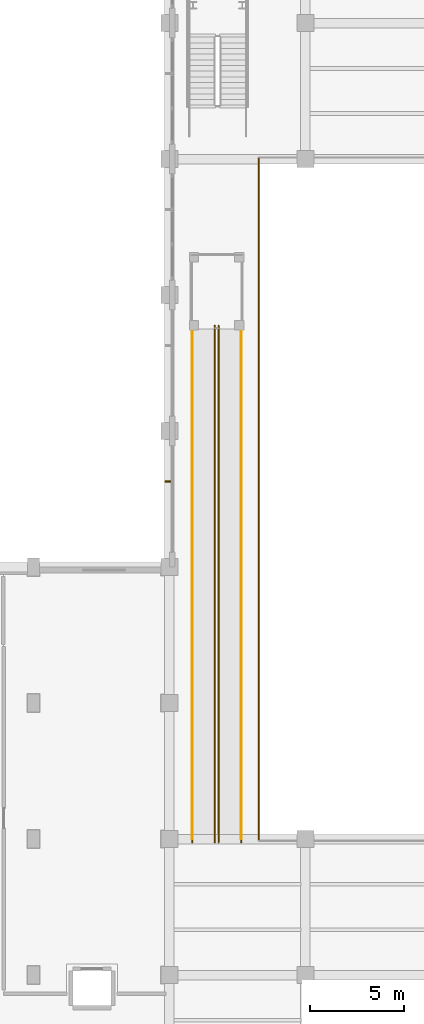
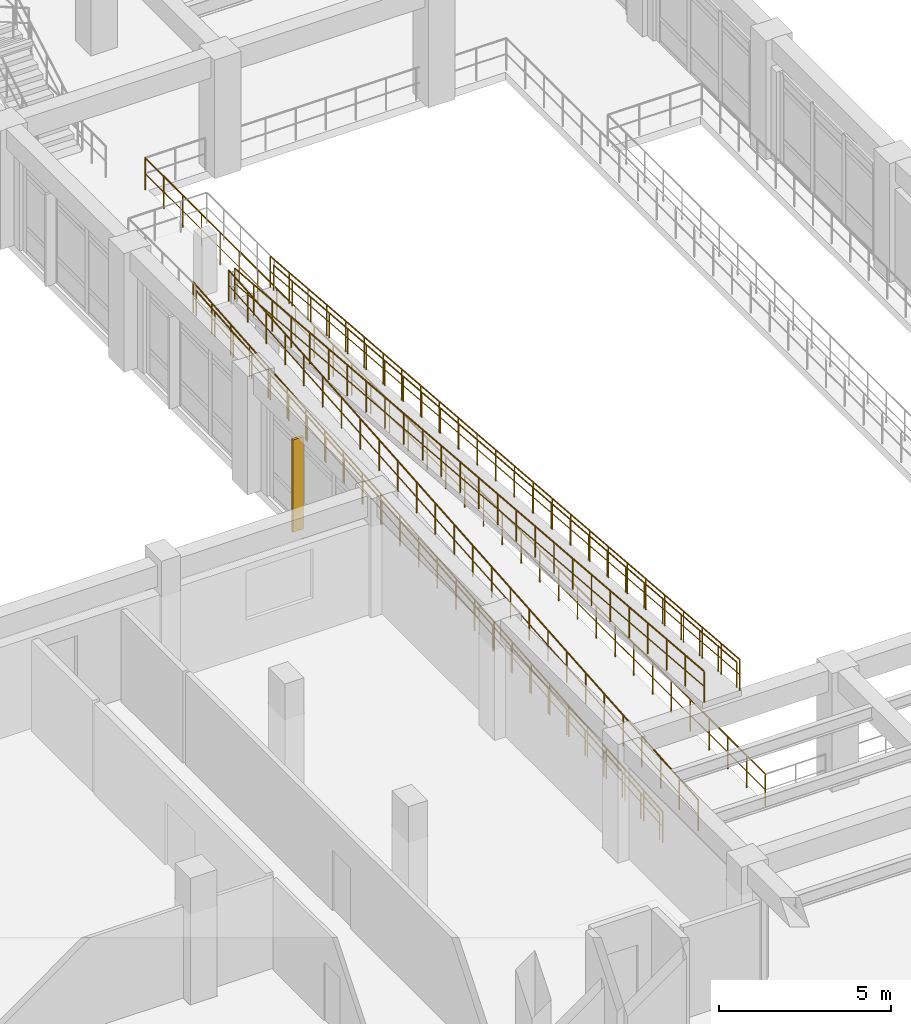
# One storey, part 59 of 69: 7 railings, 1 shading device.
"""IFC4 building model written with IfcOpenShell, lengths in metres."""

from ifc_helpers import new_model, si_unit, direction, frame, origin, origin_2d, place, context, subcontext, project, spatial, rectangle, circle, extrude, material, material_profile, profile_set, type_object, element, save


model = new_model("IFC4")

# Units and contexts
model_context = context("Model", 3, precision=1e-05, world=origin(), true_north=direction((0.0, 1.0)))
body_context = subcontext(model_context, "Body", "Model", "MODEL_VIEW")
ifc_project = project(units=[si_unit("LENGTHUNIT", "METRE"), si_unit("AREAUNIT", "SQUARE_METRE"), si_unit("VOLUMEUNIT", "CUBIC_METRE"), si_unit("PLANEANGLEUNIT", "RADIAN"), si_unit("MASSUNIT", "GRAM", prefix="KILO")], contexts=[model_context])

# Site, building, storey
site_placement = place(None, origin())
site = spatial("IfcSite", under=ifc_project, at=site_placement, CompositionType="ELEMENT")
building_placement = place(site_placement, origin())
building = spatial("IfcBuilding", under=site, at=building_placement, Name="Solenvale Faculty of Natural Sciences", CompositionType="ELEMENT")
storey_placement = place(building_placement, frame((0.0, 0.0, 4.5)))
storey = spatial("IfcBuildingStorey", under=building, at=storey_placement, Name="L01", CompositionType="ELEMENT", Elevation=4.5)

# Railings
ifc_material_1 = material(Name="Stainless steel Grade 304", Category="steel")
railing_type_1 = type_object("IfcRailingType", Name="RL-GRD-1100", PredefinedType="GUARDRAIL", material=ifc_material_1)
railing_1_placement = place(storey_placement, frame((37.199951171875, 28.6201171875, 0.0)))
element("IfcRailing", 1, at=railing_1_placement, inside=storey, type_object=railing_type_1, Name="RMP-02 Flight 1 Guardrail FL1-W", PredefinedType="GUARDRAIL", context=body_context, shape_type="SweptSolid", body=[
    extrude(circle(Radius=0.02392578125, at=origin_2d()), frame((0.0, 0.0, 1.09619140625), z_axis=(0.0, 0.996635572651, 0.081960571784), x_axis=(-1.0, 0.0, 0.0)), (0.0, 0.0, 1.0), 27.4521484375),
    extrude(circle(Radius=0.01611328125, at=origin_2d()), frame((0.0, 0.0, 0.56005859375), z_axis=(0.0, 0.996635572651, 0.081960571784), x_axis=(-1.0, 0.0, 0.0)), (0.0, 0.0, 1.0), 27.4521484375),
    extrude(circle(Radius=0.02099609375, at=origin_2d()), origin(), (0.0, 0.0, 1.0), 1.072021484375),
    extrude(circle(Radius=0.02099609375, at=origin_2d()), frame((0.0, 1.094482421875, 0.090087890625)), (0.0, 0.0, 1.0), 1.072021484375),
    extrude(circle(Radius=0.02099609375, at=origin_2d()), frame((0.0, 2.188720703125, 0.179931640625)), (0.0, 0.0, 1.0), 1.072021484375),
    extrude(circle(Radius=0.02099609375, at=origin_2d()), frame((0.0, 3.283203125, 0.27001953125)), (0.0, 0.0, 1.0), 1.072021484375),
    extrude(circle(Radius=0.02099609375, at=origin_2d()), frame((0.0, 4.377685546875, 0.360107421875)), (0.0, 0.0, 1.0), 1.072021484375),
    extrude(circle(Radius=0.02099609375, at=origin_2d()), frame((0.0, 5.471923828125, 0.449951171875)), (0.0, 0.0, 1.0), 1.072021484375),
    extrude(circle(Radius=0.02099609375, at=origin_2d()), frame((0.0, 6.56640625, 0.5400390625)), (0.0, 0.0, 1.0), 1.072021484375),
    extrude(circle(Radius=0.02099609375, at=origin_2d()), frame((0.0, 7.66064453125, 0.6298828125)), (0.0, 0.0, 1.0), 1.072021484375),
    extrude(circle(Radius=0.02099609375, at=origin_2d()), frame((0.0, 8.755126953125, 0.719970703125)), (0.0, 0.0, 1.0), 1.072021484375),
    extrude(circle(Radius=0.02099609375, at=origin_2d()), frame((0.0, 9.849609375, 0.81005859375)), (0.0, 0.0, 1.0), 1.072021484375),
    extrude(circle(Radius=0.02099609375, at=origin_2d()), frame((0.0, 10.94384765625, 0.89990234375)), (0.0, 0.0, 1.0), 1.072021484375),
    extrude(circle(Radius=0.02099609375, at=origin_2d()), frame((0.0, 12.038330078125, 0.989990234375)), (0.0, 0.0, 1.0), 1.072021484375),
    extrude(circle(Radius=0.02099609375, at=origin_2d()), frame((0.0, 13.1328125, 1.080078125)), (0.0, 0.0, 1.0), 1.072021484375),
    extrude(circle(Radius=0.02099609375, at=origin_2d()), frame((0.0, 14.22705078125, 1.169921875)), (0.0, 0.0, 1.0), 1.072021484375),
    extrude(circle(Radius=0.02099609375, at=origin_2d()), frame((0.0, 15.321533203125, 1.260009765625)), (0.0, 0.0, 1.0), 1.072021484375),
    extrude(circle(Radius=0.02099609375, at=origin_2d()), frame((0.0, 16.416015625, 1.35009765625)), (0.0, 0.0, 1.0), 1.072021484375),
    extrude(circle(Radius=0.02099609375, at=origin_2d()), frame((0.0, 17.51025390625, 1.43994140625)), (0.0, 0.0, 1.0), 1.072021484375),
    extrude(circle(Radius=0.02099609375, at=origin_2d()), frame((0.0, 18.604736328125, 1.530029296875)), (0.0, 0.0, 1.0), 1.072021484375),
    extrude(circle(Radius=0.02099609375, at=origin_2d()), frame((0.0, 19.69921875, 1.6201171875)), (0.0, 0.0, 1.0), 1.072021484375),
    extrude(circle(Radius=0.02099609375, at=origin_2d()), frame((0.0, 20.79345703125, 1.7099609375)), (0.0, 0.0, 1.0), 1.072021484375),
    extrude(circle(Radius=0.02099609375, at=origin_2d()), frame((0.0, 21.887939453125, 1.800048828125)), (0.0, 0.0, 1.0), 1.072021484375),
    extrude(circle(Radius=0.02099609375, at=origin_2d()), frame((0.0, 22.982177734375, 1.889892578125)), (0.0, 0.0, 1.0), 1.072021484375),
    extrude(circle(Radius=0.02099609375, at=origin_2d()), frame((0.0, 24.07666015625, 1.97998046875)), (0.0, 0.0, 1.0), 1.072021484375),
    extrude(circle(Radius=0.02099609375, at=origin_2d()), frame((0.0, 25.171142578125, 2.070068359375)), (0.0, 0.0, 1.0), 1.072021484375),
    extrude(circle(Radius=0.02099609375, at=origin_2d()), frame((0.0, 26.265380859375, 2.159912109375)), (0.0, 0.0, 1.0), 1.072021484375),
    extrude(circle(Radius=0.02099609375, at=origin_2d()), frame((0.0, 27.35986328125, 2.25)), (0.0, 0.0, 1.0), 1.072021484375),
])
railing_2_placement = place(storey_placement, frame((38.39990234375, 28.6201171875, 0.0)))
element("IfcRailing", 2, at=railing_2_placement, inside=storey, type_object=railing_type_1, Name="RMP-02 Flight 1 Guardrail FL1-E", PredefinedType="GUARDRAIL", context=body_context, shape_type="SweptSolid", body=[
    extrude(circle(Radius=0.02392578125, at=origin_2d()), frame((0.0, 0.0, 1.09619140625), z_axis=(0.0, 0.996635572651, 0.081960571784), x_axis=(-1.0, 0.0, 0.0)), (0.0, 0.0, 1.0), 27.4521484375),
    extrude(circle(Radius=0.01611328125, at=origin_2d()), frame((0.0, 0.0, 0.56005859375), z_axis=(0.0, 0.996635572651, 0.081960571784), x_axis=(-1.0, 0.0, 0.0)), (0.0, 0.0, 1.0), 27.4521484375),
    extrude(circle(Radius=0.02099609375, at=origin_2d()), origin(), (0.0, 0.0, 1.0), 1.072021484375),
    extrude(circle(Radius=0.02099609375, at=origin_2d()), frame((0.0, 1.094482421875, 0.090087890625)), (0.0, 0.0, 1.0), 1.072021484375),
    extrude(circle(Radius=0.02099609375, at=origin_2d()), frame((0.0, 2.188720703125, 0.179931640625)), (0.0, 0.0, 1.0), 1.072021484375),
    extrude(circle(Radius=0.02099609375, at=origin_2d()), frame((0.0, 3.283203125, 0.27001953125)), (0.0, 0.0, 1.0), 1.072021484375),
    extrude(circle(Radius=0.02099609375, at=origin_2d()), frame((0.0, 4.377685546875, 0.360107421875)), (0.0, 0.0, 1.0), 1.072021484375),
    extrude(circle(Radius=0.02099609375, at=origin_2d()), frame((0.0, 5.471923828125, 0.449951171875)), (0.0, 0.0, 1.0), 1.072021484375),
    extrude(circle(Radius=0.02099609375, at=origin_2d()), frame((0.0, 6.56640625, 0.5400390625)), (0.0, 0.0, 1.0), 1.072021484375),
    extrude(circle(Radius=0.02099609375, at=origin_2d()), frame((0.0, 7.66064453125, 0.6298828125)), (0.0, 0.0, 1.0), 1.072021484375),
    extrude(circle(Radius=0.02099609375, at=origin_2d()), frame((0.0, 8.755126953125, 0.719970703125)), (0.0, 0.0, 1.0), 1.072021484375),
    extrude(circle(Radius=0.02099609375, at=origin_2d()), frame((0.0, 9.849609375, 0.81005859375)), (0.0, 0.0, 1.0), 1.072021484375),
    extrude(circle(Radius=0.02099609375, at=origin_2d()), frame((0.0, 10.94384765625, 0.89990234375)), (0.0, 0.0, 1.0), 1.072021484375),
    extrude(circle(Radius=0.02099609375, at=origin_2d()), frame((0.0, 12.038330078125, 0.989990234375)), (0.0, 0.0, 1.0), 1.072021484375),
    extrude(circle(Radius=0.02099609375, at=origin_2d()), frame((0.0, 13.1328125, 1.080078125)), (0.0, 0.0, 1.0), 1.072021484375),
    extrude(circle(Radius=0.02099609375, at=origin_2d()), frame((0.0, 14.22705078125, 1.169921875)), (0.0, 0.0, 1.0), 1.072021484375),
    extrude(circle(Radius=0.02099609375, at=origin_2d()), frame((0.0, 15.321533203125, 1.260009765625)), (0.0, 0.0, 1.0), 1.072021484375),
    extrude(circle(Radius=0.02099609375, at=origin_2d()), frame((0.0, 16.416015625, 1.35009765625)), (0.0, 0.0, 1.0), 1.072021484375),
    extrude(circle(Radius=0.02099609375, at=origin_2d()), frame((0.0, 17.51025390625, 1.43994140625)), (0.0, 0.0, 1.0), 1.072021484375),
    extrude(circle(Radius=0.02099609375, at=origin_2d()), frame((0.0, 18.604736328125, 1.530029296875)), (0.0, 0.0, 1.0), 1.072021484375),
    extrude(circle(Radius=0.02099609375, at=origin_2d()), frame((0.0, 19.69921875, 1.6201171875)), (0.0, 0.0, 1.0), 1.072021484375),
    extrude(circle(Radius=0.02099609375, at=origin_2d()), frame((0.0, 20.79345703125, 1.7099609375)), (0.0, 0.0, 1.0), 1.072021484375),
    extrude(circle(Radius=0.02099609375, at=origin_2d()), frame((0.0, 21.887939453125, 1.800048828125)), (0.0, 0.0, 1.0), 1.072021484375),
    extrude(circle(Radius=0.02099609375, at=origin_2d()), frame((0.0, 22.982177734375, 1.889892578125)), (0.0, 0.0, 1.0), 1.072021484375),
    extrude(circle(Radius=0.02099609375, at=origin_2d()), frame((0.0, 24.07666015625, 1.97998046875)), (0.0, 0.0, 1.0), 1.072021484375),
    extrude(circle(Radius=0.02099609375, at=origin_2d()), frame((0.0, 25.171142578125, 2.070068359375)), (0.0, 0.0, 1.0), 1.072021484375),
    extrude(circle(Radius=0.02099609375, at=origin_2d()), frame((0.0, 26.265380859375, 2.159912109375)), (0.0, 0.0, 1.0), 1.072021484375),
    extrude(circle(Radius=0.02099609375, at=origin_2d()), frame((0.0, 27.35986328125, 2.25)), (0.0, 0.0, 1.0), 1.072021484375),
])
railing_3_placement = place(storey_placement, frame((38.60009765625, 55.97998046875, 2.25)))
element("IfcRailing", 3, at=railing_3_placement, inside=storey, type_object=railing_type_1, Name="RMP-02 Flight 2 Guardrail FL2-W", PredefinedType="GUARDRAIL", context=body_context, shape_type="SweptSolid", body=[
    extrude(circle(Radius=0.02392578125, at=origin_2d()), frame((0.0, 0.0, 1.09619140625), z_axis=(0.0, -0.996635572651, 0.081960571784), x_axis=(1.0, 0.0, 0.0)), (0.0, 0.0, 1.0), 27.4521484375),
    extrude(circle(Radius=0.01611328125, at=origin_2d()), frame((0.0, 0.0, 0.56005859375), z_axis=(0.0, -0.996635572651, 0.081960571784), x_axis=(1.0, 0.0, 0.0)), (0.0, 0.0, 1.0), 27.4521484375),
    extrude(circle(Radius=0.02099609375, at=origin_2d()), origin(), (0.0, 0.0, 1.0), 1.072021484375),
    extrude(circle(Radius=0.02099609375, at=origin_2d()), frame((0.0, -1.094482421875, 0.090087890625)), (0.0, 0.0, 1.0), 1.072021484375),
    extrude(circle(Radius=0.02099609375, at=origin_2d()), frame((0.0, -2.188720703125, 0.179931640625)), (0.0, 0.0, 1.0), 1.072021484375),
    extrude(circle(Radius=0.02099609375, at=origin_2d()), frame((0.0, -3.283203125, 0.27001953125)), (0.0, 0.0, 1.0), 1.072021484375),
    extrude(circle(Radius=0.02099609375, at=origin_2d()), frame((0.0, -4.377685546875, 0.360107421875)), (0.0, 0.0, 1.0), 1.072021484375),
    extrude(circle(Radius=0.02099609375, at=origin_2d()), frame((0.0, -5.471923828125, 0.449951171875)), (0.0, 0.0, 1.0), 1.072021484375),
    extrude(circle(Radius=0.02099609375, at=origin_2d()), frame((0.0, -6.56640625, 0.5400390625)), (0.0, 0.0, 1.0), 1.072021484375),
    extrude(circle(Radius=0.02099609375, at=origin_2d()), frame((0.0, -7.66064453125, 0.6298828125)), (0.0, 0.0, 1.0), 1.072021484375),
    extrude(circle(Radius=0.02099609375, at=origin_2d()), frame((0.0, -8.755126953125, 0.719970703125)), (0.0, 0.0, 1.0), 1.072021484375),
    extrude(circle(Radius=0.02099609375, at=origin_2d()), frame((0.0, -9.849609375, 0.81005859375)), (0.0, 0.0, 1.0), 1.072021484375),
    extrude(circle(Radius=0.02099609375, at=origin_2d()), frame((0.0, -10.94384765625, 0.89990234375)), (0.0, 0.0, 1.0), 1.072021484375),
    extrude(circle(Radius=0.02099609375, at=origin_2d()), frame((0.0, -12.038330078125, 0.989990234375)), (0.0, 0.0, 1.0), 1.072021484375),
    extrude(circle(Radius=0.02099609375, at=origin_2d()), frame((0.0, -13.1328125, 1.080078125)), (0.0, 0.0, 1.0), 1.072021484375),
    extrude(circle(Radius=0.02099609375, at=origin_2d()), frame((0.0, -14.22705078125, 1.169921875)), (0.0, 0.0, 1.0), 1.072021484375),
    extrude(circle(Radius=0.02099609375, at=origin_2d()), frame((0.0, -15.321533203125, 1.260009765625)), (0.0, 0.0, 1.0), 1.072021484375),
    extrude(circle(Radius=0.02099609375, at=origin_2d()), frame((0.0, -16.416015625, 1.35009765625)), (0.0, 0.0, 1.0), 1.072021484375),
    extrude(circle(Radius=0.02099609375, at=origin_2d()), frame((0.0, -17.51025390625, 1.43994140625)), (0.0, 0.0, 1.0), 1.072021484375),
    extrude(circle(Radius=0.02099609375, at=origin_2d()), frame((0.0, -18.604736328125, 1.530029296875)), (0.0, 0.0, 1.0), 1.072021484375),
    extrude(circle(Radius=0.02099609375, at=origin_2d()), frame((0.0, -19.69921875, 1.6201171875)), (0.0, 0.0, 1.0), 1.072021484375),
    extrude(circle(Radius=0.02099609375, at=origin_2d()), frame((0.0, -20.79345703125, 1.7099609375)), (0.0, 0.0, 1.0), 1.072021484375),
    extrude(circle(Radius=0.02099609375, at=origin_2d()), frame((0.0, -21.887939453125, 1.800048828125)), (0.0, 0.0, 1.0), 1.072021484375),
    extrude(circle(Radius=0.02099609375, at=origin_2d()), frame((0.0, -22.982177734375, 1.889892578125)), (0.0, 0.0, 1.0), 1.072021484375),
    extrude(circle(Radius=0.02099609375, at=origin_2d()), frame((0.0, -24.07666015625, 1.97998046875)), (0.0, 0.0, 1.0), 1.072021484375),
    extrude(circle(Radius=0.02099609375, at=origin_2d()), frame((0.0, -25.171142578125, 2.070068359375)), (0.0, 0.0, 1.0), 1.072021484375),
    extrude(circle(Radius=0.02099609375, at=origin_2d()), frame((0.0, -26.265380859375, 2.159912109375)), (0.0, 0.0, 1.0), 1.072021484375),
    extrude(circle(Radius=0.02099609375, at=origin_2d()), frame((0.0, -27.35986328125, 2.25)), (0.0, 0.0, 1.0), 1.072021484375),
])
railing_4_placement = place(storey_placement, frame((39.800048828125, 55.97998046875, 2.25)))
element("IfcRailing", 4, at=railing_4_placement, inside=storey, type_object=railing_type_1, Name="RMP-02 Flight 2 Guardrail FL2-E", PredefinedType="GUARDRAIL", context=body_context, shape_type="SweptSolid", body=[
    extrude(circle(Radius=0.02392578125, at=origin_2d()), frame((0.0, 0.0, 1.09619140625), z_axis=(0.0, -0.996635572651, 0.081960571784), x_axis=(1.0, 0.0, 0.0)), (0.0, 0.0, 1.0), 27.4521484375),
    extrude(circle(Radius=0.01611328125, at=origin_2d()), frame((0.0, 0.0, 0.56005859375), z_axis=(0.0, -0.996635572651, 0.081960571784), x_axis=(1.0, 0.0, 0.0)), (0.0, 0.0, 1.0), 27.4521484375),
    extrude(circle(Radius=0.02099609375, at=origin_2d()), origin(), (0.0, 0.0, 1.0), 1.072021484375),
    extrude(circle(Radius=0.02099609375, at=origin_2d()), frame((0.0, -1.094482421875, 0.090087890625)), (0.0, 0.0, 1.0), 1.072021484375),
    extrude(circle(Radius=0.02099609375, at=origin_2d()), frame((0.0, -2.188720703125, 0.179931640625)), (0.0, 0.0, 1.0), 1.072021484375),
    extrude(circle(Radius=0.02099609375, at=origin_2d()), frame((0.0, -3.283203125, 0.27001953125)), (0.0, 0.0, 1.0), 1.072021484375),
    extrude(circle(Radius=0.02099609375, at=origin_2d()), frame((0.0, -4.377685546875, 0.360107421875)), (0.0, 0.0, 1.0), 1.072021484375),
    extrude(circle(Radius=0.02099609375, at=origin_2d()), frame((0.0, -5.471923828125, 0.449951171875)), (0.0, 0.0, 1.0), 1.072021484375),
    extrude(circle(Radius=0.02099609375, at=origin_2d()), frame((0.0, -6.56640625, 0.5400390625)), (0.0, 0.0, 1.0), 1.072021484375),
    extrude(circle(Radius=0.02099609375, at=origin_2d()), frame((0.0, -7.66064453125, 0.6298828125)), (0.0, 0.0, 1.0), 1.072021484375),
    extrude(circle(Radius=0.02099609375, at=origin_2d()), frame((0.0, -8.755126953125, 0.719970703125)), (0.0, 0.0, 1.0), 1.072021484375),
    extrude(circle(Radius=0.02099609375, at=origin_2d()), frame((0.0, -9.849609375, 0.81005859375)), (0.0, 0.0, 1.0), 1.072021484375),
    extrude(circle(Radius=0.02099609375, at=origin_2d()), frame((0.0, -10.94384765625, 0.89990234375)), (0.0, 0.0, 1.0), 1.072021484375),
    extrude(circle(Radius=0.02099609375, at=origin_2d()), frame((0.0, -12.038330078125, 0.989990234375)), (0.0, 0.0, 1.0), 1.072021484375),
    extrude(circle(Radius=0.02099609375, at=origin_2d()), frame((0.0, -13.1328125, 1.080078125)), (0.0, 0.0, 1.0), 1.072021484375),
    extrude(circle(Radius=0.02099609375, at=origin_2d()), frame((0.0, -14.22705078125, 1.169921875)), (0.0, 0.0, 1.0), 1.072021484375),
    extrude(circle(Radius=0.02099609375, at=origin_2d()), frame((0.0, -15.321533203125, 1.260009765625)), (0.0, 0.0, 1.0), 1.072021484375),
    extrude(circle(Radius=0.02099609375, at=origin_2d()), frame((0.0, -16.416015625, 1.35009765625)), (0.0, 0.0, 1.0), 1.072021484375),
    extrude(circle(Radius=0.02099609375, at=origin_2d()), frame((0.0, -17.51025390625, 1.43994140625)), (0.0, 0.0, 1.0), 1.072021484375),
    extrude(circle(Radius=0.02099609375, at=origin_2d()), frame((0.0, -18.604736328125, 1.530029296875)), (0.0, 0.0, 1.0), 1.072021484375),
    extrude(circle(Radius=0.02099609375, at=origin_2d()), frame((0.0, -19.69921875, 1.6201171875)), (0.0, 0.0, 1.0), 1.072021484375),
    extrude(circle(Radius=0.02099609375, at=origin_2d()), frame((0.0, -20.79345703125, 1.7099609375)), (0.0, 0.0, 1.0), 1.072021484375),
    extrude(circle(Radius=0.02099609375, at=origin_2d()), frame((0.0, -21.887939453125, 1.800048828125)), (0.0, 0.0, 1.0), 1.072021484375),
    extrude(circle(Radius=0.02099609375, at=origin_2d()), frame((0.0, -22.982177734375, 1.889892578125)), (0.0, 0.0, 1.0), 1.072021484375),
    extrude(circle(Radius=0.02099609375, at=origin_2d()), frame((0.0, -24.07666015625, 1.97998046875)), (0.0, 0.0, 1.0), 1.072021484375),
    extrude(circle(Radius=0.02099609375, at=origin_2d()), frame((0.0, -25.171142578125, 2.070068359375)), (0.0, 0.0, 1.0), 1.072021484375),
    extrude(circle(Radius=0.02099609375, at=origin_2d()), frame((0.0, -26.265380859375, 2.159912109375)), (0.0, 0.0, 1.0), 1.072021484375),
    extrude(circle(Radius=0.02099609375, at=origin_2d()), frame((0.0, -27.35986328125, 2.25)), (0.0, 0.0, 1.0), 1.072021484375),
])
railing_type_2 = type_object("IfcRailingType", Name="RL-GRD-ATR-1150", PredefinedType="GUARDRAIL", material=ifc_material_1)
railing_5_placement = place(storey_placement, frame((40.719970703125, 64.8798828125, 0.0)))
element("IfcRailing", 5, at=railing_5_placement, inside=storey, type_object=railing_type_2, Name="L01 Atrium Gallery Guardrail W", PredefinedType="GUARDRAIL", context=body_context, shape_type="SweptSolid", body=[
    extrude(circle(Radius=0.02392578125, at=origin_2d()), frame((0.0, 0.0, 1.1357421875), z_axis=(0.0, -1.0, 0.0), x_axis=(1.0, 0.0, 0.0)), (0.0, 0.0, 1.0), 36.159912109375),
    extrude(circle(Radius=0.01611328125, at=origin_2d()), frame((0.0, 0.0, 0.580078125), z_axis=(0.0, -1.0, 0.0), x_axis=(1.0, 0.0, 0.0)), (0.0, 0.0, 1.0), 36.159912109375),
    extrude(circle(Radius=0.02099609375, at=origin_2d()), origin(), (0.0, 0.0, 1.0), 1.11181640625),
    extrude(circle(Radius=0.02099609375, at=origin_2d()), frame((0.0, -1.095703125, 0.0)), (0.0, 0.0, 1.0), 1.11181640625),
    extrude(circle(Radius=0.02099609375, at=origin_2d()), frame((0.0, -2.19140625, 0.0)), (0.0, 0.0, 1.0), 1.11181640625),
    extrude(circle(Radius=0.02099609375, at=origin_2d()), frame((0.0, -3.287353515625, 0.0)), (0.0, 0.0, 1.0), 1.11181640625),
    extrude(circle(Radius=0.02099609375, at=origin_2d()), frame((0.0, -4.383056640625, 0.0)), (0.0, 0.0, 1.0), 1.11181640625),
    extrude(circle(Radius=0.02099609375, at=origin_2d()), frame((0.0, -5.478759765625, 0.0)), (0.0, 0.0, 1.0), 1.11181640625),
    extrude(circle(Radius=0.02099609375, at=origin_2d()), frame((0.0, -6.574462890625, 0.0)), (0.0, 0.0, 1.0), 1.11181640625),
    extrude(circle(Radius=0.02099609375, at=origin_2d()), frame((0.0, -7.670166015625, 0.0)), (0.0, 0.0, 1.0), 1.11181640625),
    extrude(circle(Radius=0.02099609375, at=origin_2d()), frame((0.0, -8.76611328125, 0.0)), (0.0, 0.0, 1.0), 1.11181640625),
    extrude(circle(Radius=0.02099609375, at=origin_2d()), frame((0.0, -9.86181640625, 0.0)), (0.0, 0.0, 1.0), 1.11181640625),
    extrude(circle(Radius=0.02099609375, at=origin_2d()), frame((0.0, -10.95751953125, 0.0)), (0.0, 0.0, 1.0), 1.11181640625),
    extrude(circle(Radius=0.02099609375, at=origin_2d()), frame((0.0, -12.05322265625, 0.0)), (0.0, 0.0, 1.0), 1.11181640625),
    extrude(circle(Radius=0.02099609375, at=origin_2d()), frame((0.0, -13.149169921875, 0.0)), (0.0, 0.0, 1.0), 1.11181640625),
    extrude(circle(Radius=0.02099609375, at=origin_2d()), frame((0.0, -14.244873046875, 0.0)), (0.0, 0.0, 1.0), 1.11181640625),
    extrude(circle(Radius=0.02099609375, at=origin_2d()), frame((0.0, -15.340576171875, 0.0)), (0.0, 0.0, 1.0), 1.11181640625),
    extrude(circle(Radius=0.02099609375, at=origin_2d()), frame((0.0, -16.436279296875, 0.0)), (0.0, 0.0, 1.0), 1.11181640625),
    extrude(circle(Radius=0.02099609375, at=origin_2d()), frame((0.0, -17.531982421875, 0.0)), (0.0, 0.0, 1.0), 1.11181640625),
    extrude(circle(Radius=0.02099609375, at=origin_2d()), frame((0.0, -18.6279296875, 0.0)), (0.0, 0.0, 1.0), 1.11181640625),
    extrude(circle(Radius=0.02099609375, at=origin_2d()), frame((0.0, -19.7236328125, 0.0)), (0.0, 0.0, 1.0), 1.11181640625),
    extrude(circle(Radius=0.02099609375, at=origin_2d()), frame((0.0, -20.8193359375, 0.0)), (0.0, 0.0, 1.0), 1.11181640625),
    extrude(circle(Radius=0.02099609375, at=origin_2d()), frame((0.0, -21.9150390625, 0.0)), (0.0, 0.0, 1.0), 1.11181640625),
    extrude(circle(Radius=0.02099609375, at=origin_2d()), frame((0.0, -23.0107421875, 0.0)), (0.0, 0.0, 1.0), 1.11181640625),
    extrude(circle(Radius=0.02099609375, at=origin_2d()), frame((0.0, -24.106689453125, 0.0)), (0.0, 0.0, 1.0), 1.11181640625),
    extrude(circle(Radius=0.02099609375, at=origin_2d()), frame((0.0, -25.202392578125, 0.0)), (0.0, 0.0, 1.0), 1.11181640625),
    extrude(circle(Radius=0.02099609375, at=origin_2d()), frame((0.0, -26.298095703125, 0.0)), (0.0, 0.0, 1.0), 1.11181640625),
    extrude(circle(Radius=0.02099609375, at=origin_2d()), frame((0.0, -27.393798828125, 0.0)), (0.0, 0.0, 1.0), 1.11181640625),
    extrude(circle(Radius=0.02099609375, at=origin_2d()), frame((0.0, -28.48974609375, 0.0)), (0.0, 0.0, 1.0), 1.11181640625),
    extrude(circle(Radius=0.02099609375, at=origin_2d()), frame((0.0, -29.58544921875, 0.0)), (0.0, 0.0, 1.0), 1.11181640625),
    extrude(circle(Radius=0.02099609375, at=origin_2d()), frame((0.0, -30.68115234375, 0.0)), (0.0, 0.0, 1.0), 1.11181640625),
    extrude(circle(Radius=0.02099609375, at=origin_2d()), frame((0.0, -31.77685546875, 0.0)), (0.0, 0.0, 1.0), 1.11181640625),
    extrude(circle(Radius=0.02099609375, at=origin_2d()), frame((0.0, -32.87255859375, 0.0)), (0.0, 0.0, 1.0), 1.11181640625),
    extrude(circle(Radius=0.02099609375, at=origin_2d()), frame((0.0, -33.968505859375, 0.0)), (0.0, 0.0, 1.0), 1.11181640625),
    extrude(circle(Radius=0.02099609375, at=origin_2d()), frame((0.0, -35.064208984375, 0.0)), (0.0, 0.0, 1.0), 1.11181640625),
    extrude(circle(Radius=0.02099609375, at=origin_2d()), frame((0.0, -36.159912109375, 0.0)), (0.0, 0.0, 1.0), 1.11181640625),
])
railing_type_3 = type_object("IfcRailingType", Name="RL-HND-900", PredefinedType="HANDRAIL", material=ifc_material_1)
railing_6_placement = place(storey_placement, frame((37.199951171875, 28.800048828125, 0.0)))
element("IfcRailing", 6, at=railing_6_placement, inside=storey, type_object=railing_type_3, Name="RMP-02 Handrail 1", PredefinedType="HANDRAIL", context=body_context, shape_type="SweptSolid", body=[
    extrude(circle(Radius=0.02392578125, at=origin_2d()), frame((0.0, 0.0, 0.89599609375), z_axis=(0.0, 0.996545758245, 0.083045479854), x_axis=(-1.0, 0.0, 0.0)), (0.0, 0.0, 1.0), 27.093505859375),
    extrude(circle(Radius=0.02099609375, at=origin_2d()), origin(), (0.0, 0.0, 1.0), 0.871826171875),
    extrude(circle(Radius=0.02099609375, at=origin_2d()), frame((0.0, 1.080078125, 0.090087890625)), (0.0, 0.0, 1.0), 0.871826171875),
    extrude(circle(Radius=0.02099609375, at=origin_2d()), frame((0.0, 2.159912109375, 0.179931640625)), (0.0, 0.0, 1.0), 0.871826171875),
    extrude(circle(Radius=0.02099609375, at=origin_2d()), frame((0.0, 3.239990234375, 0.27001953125)), (0.0, 0.0, 1.0), 0.871826171875),
    extrude(circle(Radius=0.02099609375, at=origin_2d()), frame((0.0, 4.320068359375, 0.360107421875)), (0.0, 0.0, 1.0), 0.871826171875),
    extrude(circle(Radius=0.02099609375, at=origin_2d()), frame((0.0, 5.39990234375, 0.449951171875)), (0.0, 0.0, 1.0), 0.871826171875),
    extrude(circle(Radius=0.02099609375, at=origin_2d()), frame((0.0, 6.47998046875, 0.5400390625)), (0.0, 0.0, 1.0), 0.871826171875),
    extrude(circle(Radius=0.02099609375, at=origin_2d()), frame((0.0, 7.56005859375, 0.6298828125)), (0.0, 0.0, 1.0), 0.871826171875),
    extrude(circle(Radius=0.02099609375, at=origin_2d()), frame((0.0, 8.639892578125, 0.719970703125)), (0.0, 0.0, 1.0), 0.871826171875),
    extrude(circle(Radius=0.02099609375, at=origin_2d()), frame((0.0, 9.719970703125, 0.81005859375)), (0.0, 0.0, 1.0), 0.871826171875),
    extrude(circle(Radius=0.02099609375, at=origin_2d()), frame((0.0, 10.800048828125, 0.89990234375)), (0.0, 0.0, 1.0), 0.871826171875),
    extrude(circle(Radius=0.02099609375, at=origin_2d()), frame((0.0, 11.8798828125, 0.989990234375)), (0.0, 0.0, 1.0), 0.871826171875),
    extrude(circle(Radius=0.02099609375, at=origin_2d()), frame((0.0, 12.9599609375, 1.080078125)), (0.0, 0.0, 1.0), 0.871826171875),
    extrude(circle(Radius=0.02099609375, at=origin_2d()), frame((0.0, 14.0400390625, 1.169921875)), (0.0, 0.0, 1.0), 0.871826171875),
    extrude(circle(Radius=0.02099609375, at=origin_2d()), frame((0.0, 15.1201171875, 1.260009765625)), (0.0, 0.0, 1.0), 0.871826171875),
    extrude(circle(Radius=0.02099609375, at=origin_2d()), frame((0.0, 16.199951171875, 1.35009765625)), (0.0, 0.0, 1.0), 0.871826171875),
    extrude(circle(Radius=0.02099609375, at=origin_2d()), frame((0.0, 17.280029296875, 1.43994140625)), (0.0, 0.0, 1.0), 0.871826171875),
    extrude(circle(Radius=0.02099609375, at=origin_2d()), frame((0.0, 18.360107421875, 1.530029296875)), (0.0, 0.0, 1.0), 0.871826171875),
    extrude(circle(Radius=0.02099609375, at=origin_2d()), frame((0.0, 19.43994140625, 1.6201171875)), (0.0, 0.0, 1.0), 0.871826171875),
    extrude(circle(Radius=0.02099609375, at=origin_2d()), frame((0.0, 20.52001953125, 1.7099609375)), (0.0, 0.0, 1.0), 0.871826171875),
    extrude(circle(Radius=0.02099609375, at=origin_2d()), frame((0.0, 21.60009765625, 1.800048828125)), (0.0, 0.0, 1.0), 0.871826171875),
    extrude(circle(Radius=0.02099609375, at=origin_2d()), frame((0.0, 22.679931640625, 1.889892578125)), (0.0, 0.0, 1.0), 0.871826171875),
    extrude(circle(Radius=0.02099609375, at=origin_2d()), frame((0.0, 23.760009765625, 1.97998046875)), (0.0, 0.0, 1.0), 0.871826171875),
    extrude(circle(Radius=0.02099609375, at=origin_2d()), frame((0.0, 24.840087890625, 2.070068359375)), (0.0, 0.0, 1.0), 0.871826171875),
    extrude(circle(Radius=0.02099609375, at=origin_2d()), frame((0.0, 25.919921875, 2.159912109375)), (0.0, 0.0, 1.0), 0.871826171875),
    extrude(circle(Radius=0.02099609375, at=origin_2d()), frame((0.0, 27.0, 2.25)), (0.0, 0.0, 1.0), 0.871826171875),
])
railing_7_placement = place(storey_placement, frame((39.800048828125, 55.800048828125, 2.25)))
element("IfcRailing", 7, at=railing_7_placement, inside=storey, type_object=railing_type_3, Name="RMP-02 Handrail 2", PredefinedType="HANDRAIL", context=body_context, shape_type="SweptSolid", body=[
    extrude(circle(Radius=0.02392578125, at=origin_2d()), frame((0.0, 0.0, 0.89599609375), z_axis=(0.0, -0.996545758245, 0.083045479854), x_axis=(1.0, 0.0, 0.0)), (0.0, 0.0, 1.0), 27.093505859375),
    extrude(circle(Radius=0.02099609375, at=origin_2d()), origin(), (0.0, 0.0, 1.0), 0.871826171875),
    extrude(circle(Radius=0.02099609375, at=origin_2d()), frame((0.0, -1.080078125, 0.090087890625)), (0.0, 0.0, 1.0), 0.871826171875),
    extrude(circle(Radius=0.02099609375, at=origin_2d()), frame((0.0, -2.159912109375, 0.179931640625)), (0.0, 0.0, 1.0), 0.871826171875),
    extrude(circle(Radius=0.02099609375, at=origin_2d()), frame((0.0, -3.239990234375, 0.27001953125)), (0.0, 0.0, 1.0), 0.871826171875),
    extrude(circle(Radius=0.02099609375, at=origin_2d()), frame((0.0, -4.320068359375, 0.360107421875)), (0.0, 0.0, 1.0), 0.871826171875),
    extrude(circle(Radius=0.02099609375, at=origin_2d()), frame((0.0, -5.39990234375, 0.449951171875)), (0.0, 0.0, 1.0), 0.871826171875),
    extrude(circle(Radius=0.02099609375, at=origin_2d()), frame((0.0, -6.47998046875, 0.5400390625)), (0.0, 0.0, 1.0), 0.871826171875),
    extrude(circle(Radius=0.02099609375, at=origin_2d()), frame((0.0, -7.56005859375, 0.6298828125)), (0.0, 0.0, 1.0), 0.871826171875),
    extrude(circle(Radius=0.02099609375, at=origin_2d()), frame((0.0, -8.639892578125, 0.719970703125)), (0.0, 0.0, 1.0), 0.871826171875),
    extrude(circle(Radius=0.02099609375, at=origin_2d()), frame((0.0, -9.719970703125, 0.81005859375)), (0.0, 0.0, 1.0), 0.871826171875),
    extrude(circle(Radius=0.02099609375, at=origin_2d()), frame((0.0, -10.800048828125, 0.89990234375)), (0.0, 0.0, 1.0), 0.871826171875),
    extrude(circle(Radius=0.02099609375, at=origin_2d()), frame((0.0, -11.8798828125, 0.989990234375)), (0.0, 0.0, 1.0), 0.871826171875),
    extrude(circle(Radius=0.02099609375, at=origin_2d()), frame((0.0, -12.9599609375, 1.080078125)), (0.0, 0.0, 1.0), 0.871826171875),
    extrude(circle(Radius=0.02099609375, at=origin_2d()), frame((0.0, -14.0400390625, 1.169921875)), (0.0, 0.0, 1.0), 0.871826171875),
    extrude(circle(Radius=0.02099609375, at=origin_2d()), frame((0.0, -15.1201171875, 1.260009765625)), (0.0, 0.0, 1.0), 0.871826171875),
    extrude(circle(Radius=0.02099609375, at=origin_2d()), frame((0.0, -16.199951171875, 1.35009765625)), (0.0, 0.0, 1.0), 0.871826171875),
    extrude(circle(Radius=0.02099609375, at=origin_2d()), frame((0.0, -17.280029296875, 1.43994140625)), (0.0, 0.0, 1.0), 0.871826171875),
    extrude(circle(Radius=0.02099609375, at=origin_2d()), frame((0.0, -18.360107421875, 1.530029296875)), (0.0, 0.0, 1.0), 0.871826171875),
    extrude(circle(Radius=0.02099609375, at=origin_2d()), frame((0.0, -19.43994140625, 1.6201171875)), (0.0, 0.0, 1.0), 0.871826171875),
    extrude(circle(Radius=0.02099609375, at=origin_2d()), frame((0.0, -20.52001953125, 1.7099609375)), (0.0, 0.0, 1.0), 0.871826171875),
    extrude(circle(Radius=0.02099609375, at=origin_2d()), frame((0.0, -21.60009765625, 1.800048828125)), (0.0, 0.0, 1.0), 0.871826171875),
    extrude(circle(Radius=0.02099609375, at=origin_2d()), frame((0.0, -22.679931640625, 1.889892578125)), (0.0, 0.0, 1.0), 0.871826171875),
    extrude(circle(Radius=0.02099609375, at=origin_2d()), frame((0.0, -23.760009765625, 1.97998046875)), (0.0, 0.0, 1.0), 0.871826171875),
    extrude(circle(Radius=0.02099609375, at=origin_2d()), frame((0.0, -24.840087890625, 2.070068359375)), (0.0, 0.0, 1.0), 0.871826171875),
    extrude(circle(Radius=0.02099609375, at=origin_2d()), frame((0.0, -25.919921875, 2.159912109375)), (0.0, 0.0, 1.0), 0.871826171875),
    extrude(circle(Radius=0.02099609375, at=origin_2d()), frame((0.0, -27.0, 2.25)), (0.0, 0.0, 1.0), 0.871826171875),
])

# Shading device
ifc_material_2 = material(Name="Anodised bronze aluminium", Category="aluminium")
ifc_material_profile = material_profile(ifc_material_2, rectangle(XDim=0.080078125, YDim=0.360107421875, at=origin_2d()), Name="ALU-FIN-80x360")
ifc_profile_set = profile_set([ifc_material_profile], Name="Anodised bronze aluminium")
shading_device_type = type_object("IfcShadingDeviceType", Name="SHD-FIN-360", PredefinedType="JALOUSIE", material=ifc_profile_set)
shading_device_placement = place(storey_placement, frame((35.93994140625, 47.716552734375, -0.02001953125), z_axis=(0.0, 0.0, 1.0), x_axis=(0.0, 1.0, 0.0)))
element("IfcShadingDevice", 8, at=shading_device_placement, inside=storey, type_object=shading_device_type, Name="L01 Vertical Brise-Soleil Fin 14.7", PredefinedType="JALOUSIE", context=body_context, shape_type="SweptSolid", body=[
    extrude(rectangle(XDim=0.080078125, YDim=0.360107421875, at=origin_2d()), origin(), (0.0, 0.0, 1.0), 3.280029296875),
])

save(model, "model.ifc")
